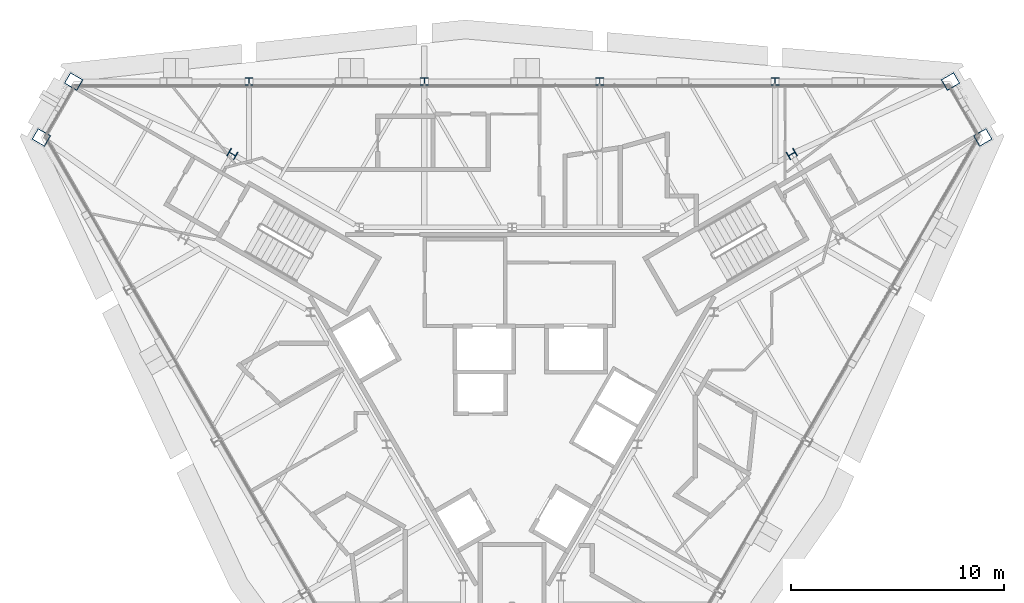
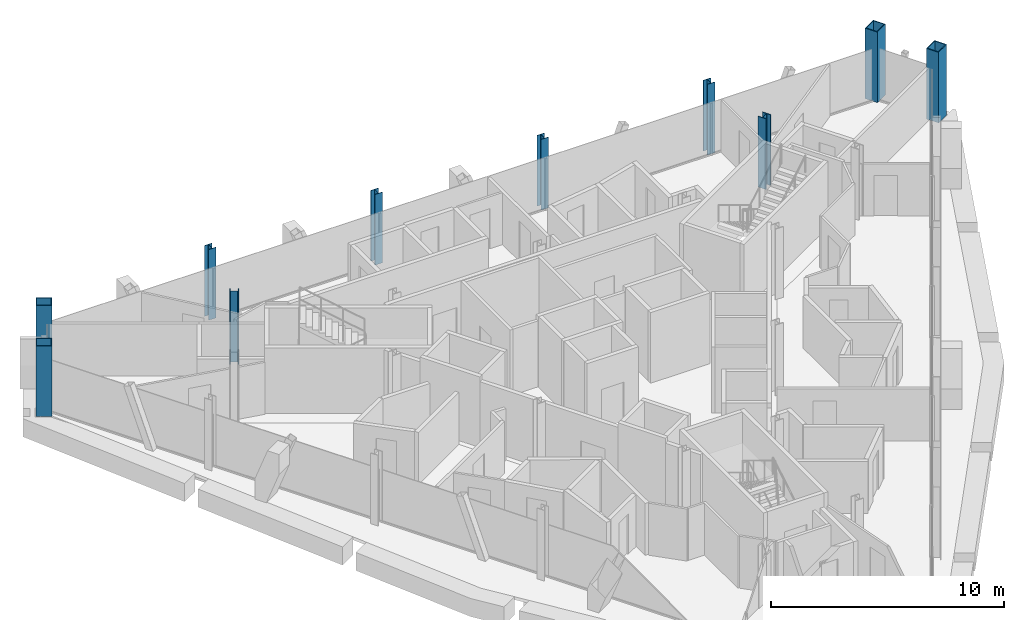
# One storey, part 2 of 14: 10 columns.
"""IFC4 building model written with IfcOpenShell, lengths in metres."""

from ifc_helpers import new_model, si_unit, direction, frame, origin, origin_2d, place, context, subcontext, project, spatial, hollow_rectangle, i_section, extrude, material, material_profile, profile_set, type_object, element, save


model = new_model("IFC4")

# Units and contexts
model_context = context("Model", 3, precision=1e-05, world=origin(), true_north=direction((0.0, 1.0)))
body_context = subcontext(model_context, "Body", "Model", "MODEL_VIEW")
ifc_project = project(units=[si_unit("LENGTHUNIT", "METRE"), si_unit("AREAUNIT", "SQUARE_METRE"), si_unit("VOLUMEUNIT", "CUBIC_METRE"), si_unit("PLANEANGLEUNIT", "RADIAN"), si_unit("MASSUNIT", "GRAM", prefix="KILO")], contexts=[model_context])

# Site, building, storey
site_placement = place(None, origin())
site = spatial("IfcSite", under=ifc_project, at=site_placement, CompositionType="ELEMENT")
building_placement = place(site_placement, origin())
building = spatial("IfcBuilding", under=site, at=building_placement, Name="Verrane Prism Tower", CompositionType="ELEMENT")
storey_placement = place(building_placement, frame((0.0, 0.0, 293.60009765625)))
storey = spatial("IfcBuildingStorey", under=building, at=storey_placement, Name="L74", CompositionType="ELEMENT", Elevation=293.60009765625)

# Columns
ifc_material_1 = material(Name="Steel A992", Category="steel")
ifc_material_profile_1 = material_profile(ifc_material_1, i_section(OverallWidth=0.4013671875, OverallDepth=0.398681640625, WebThickness=0.02490234375, FlangeThickness=0.03955078125, FilletRadius=0.01513671875, at=origin_2d()), Name="W14x211")
ifc_profile_set_1 = profile_set([ifc_material_profile_1], Name="Steel A992")
column_type_1 = type_object("IfcColumnType", Name="Core corner column W14x211", PredefinedType="COLUMN", material=ifc_profile_set_1)
for number, where, z_axis, x_axis, name in (
    (1, (13.139892578125, 10.239990234375, 0.0), (0.0, 0.0, 1.0), (0.5, -0.866025403784, 0.0), "Core corner column CK-NEp L74"),
    (2, (-13.139892578125, 10.239990234375, 0.0), (0.0, 0.0, 1.0), (0.5, 0.866025403784, 0.0), "Core corner column CK-NWm L74"),
):
    element("IfcColumn", number, at=place(storey_placement, frame(where, z_axis=z_axis, x_axis=x_axis)), inside=storey, type_object=column_type_1, Name=name, PredefinedType="COLUMN", context=body_context, shape_type="SweptSolid", body=[
        extrude(i_section(OverallWidth=0.4013671875, OverallDepth=0.398681640625, WebThickness=0.02490234375, FlangeThickness=0.03955078125, FilletRadius=0.01513671875, at=origin_2d()), origin(), (0.0, 0.0, 1.0), 3.699951171875),
    ])
ifc_material_2 = material(Name="Steel A572 Grade 50", Category="steel")
ifc_material_profile_2 = material_profile(ifc_material_2, hollow_rectangle(XDim=0.60009765625, YDim=0.699951171875, WallThickness=0.0400390625, at=origin_2d()), Name="BOX 700x600x40")
ifc_profile_set_2 = profile_set([ifc_material_profile_2], Name="Steel A572 Grade 50")
column_type_2 = type_object("IfcColumnType", Name="Megacolumn BOX 700x600x40", PredefinedType="COLUMN", material=ifc_profile_set_2)
for number, where, z_axis, x_axis, name in (
    (3, (20.60009765625, 13.64990234375, 0.0), (0.0, 0.0, 1.0), (0.5, -0.866025403784, 0.0), "Megacolumn MC-NE.b L74"),
    (4, (-20.60009765625, 13.64990234375, 0.0), (0.0, 0.0, 1.0), (0.5, 0.866025403784, 0.0), "Megacolumn MC-NW.a L74"),
    (5, (-22.1201171875, 11.02001953125, 0.0), (0.0, 0.0, 1.0), (0.5, 0.866025403784, 0.0), "Megacolumn MC-NW.b L74"),
    (6, (22.1201171875, 11.02001953125, 0.0), (0.0, 0.0, 1.0), (0.5, -0.866025403784, 0.0), "Megacolumn MC-NE.a L74"),
):
    element("IfcColumn", number, at=place(storey_placement, frame(where, z_axis=z_axis, x_axis=x_axis)), inside=storey, type_object=column_type_2, Name=name, PredefinedType="COLUMN", context=body_context, shape_type="SweptSolid", body=[
        extrude(hollow_rectangle(XDim=0.60009765625, YDim=0.699951171875, WallThickness=0.0400390625, at=origin_2d()), origin(), (0.0, 0.0, 1.0), 3.699951171875),
    ])
ifc_material_3 = material(Name="Steel A992", Category="steel")
ifc_material_profile_3 = material_profile(ifc_material_3, i_section(OverallWidth=0.373291015625, OverallDepth=0.368408203125, WebThickness=0.014892578125, FlangeThickness=0.02392578125, FilletRadius=0.01513671875, at=origin_2d()), Name="W14x120")
ifc_profile_set_3 = profile_set([ifc_material_profile_3], Name="Steel A992")
column_type_3 = type_object("IfcColumnType", Name="Perimeter column W14x120", PredefinedType="COLUMN", material=ifc_profile_set_3)
for number, where, z_axis, x_axis, name in (
    (7, (12.360107421875, 13.64990234375, 0.0), (0.0, 0.0, 1.0), (1.0, 0.0, 0.0), "Perimeter column PC-N1 L74"),
    (8, (4.1201171875, 13.64990234375, 0.0), (0.0, 0.0, 1.0), (1.0, 0.0, 0.0), "Perimeter column PC-N2 L74"),
    (9, (-4.1201171875, 13.64990234375, 0.0), (0.0, 0.0, 1.0), (1.0, 0.0, 0.0), "Perimeter column PC-N3 L74"),
    (10, (-12.360107421875, 13.64990234375, 0.0), (0.0, 0.0, 1.0), (1.0, 0.0, 0.0), "Perimeter column PC-N4 L74"),
):
    element("IfcColumn", number, at=place(storey_placement, frame(where, z_axis=z_axis, x_axis=x_axis)), inside=storey, type_object=column_type_3, Name=name, PredefinedType="COLUMN", context=body_context, shape_type="SweptSolid", body=[
        extrude(i_section(OverallWidth=0.373291015625, OverallDepth=0.368408203125, WebThickness=0.014892578125, FlangeThickness=0.02392578125, FilletRadius=0.01513671875, at=origin_2d()), origin(), (0.0, 0.0, 1.0), 3.699951171875),
    ])

save(model, "model.ifc")
